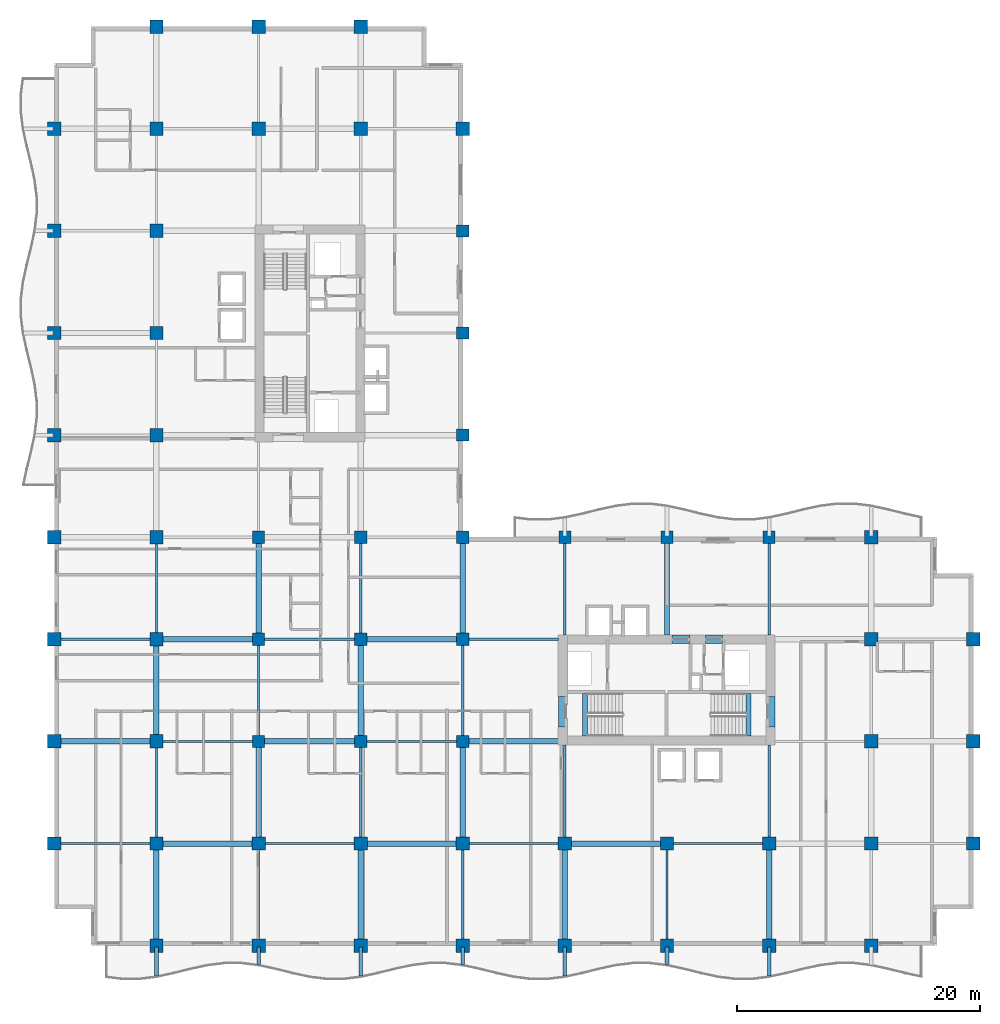
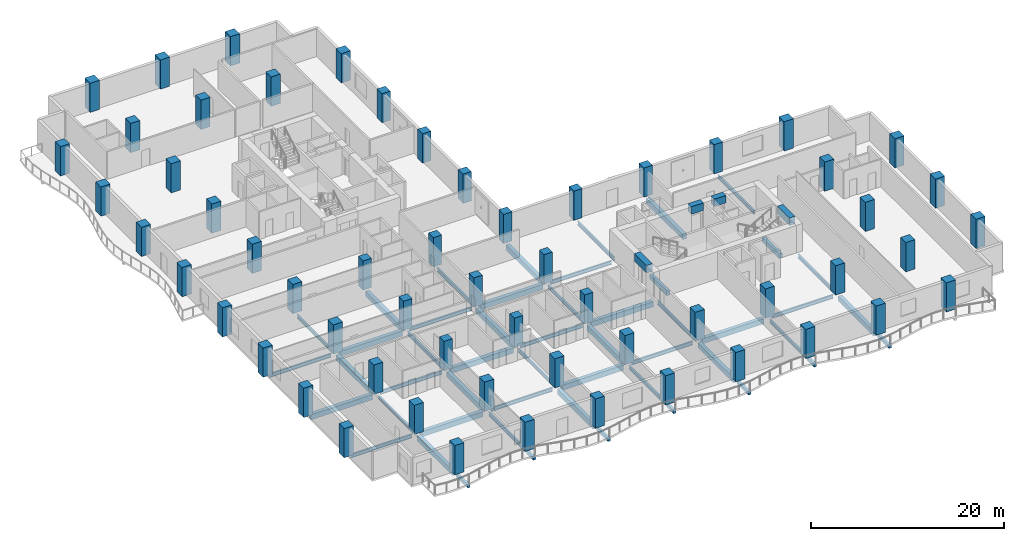
# One storey, part 1 of 16: 58 columns, 54 beams.
"""IFC4 building model written with IfcOpenShell, lengths in metres."""

from ifc_helpers import new_model, si_unit, direction, frame, origin, origin_2d, place, context, subcontext, project, spatial, rectangle, i_section, extrude, material, material_profile, profile_set, type_object, element, save


model = new_model("IFC4")

# Units and contexts
model_context = context("Model", 3, precision=1e-05, world=origin(), true_north=direction((0.0, 1.0)))
body_context = subcontext(model_context, "Body", "Model", "MODEL_VIEW")
ifc_project = project(units=[si_unit("LENGTHUNIT", "METRE"), si_unit("AREAUNIT", "SQUARE_METRE"), si_unit("VOLUMEUNIT", "CUBIC_METRE"), si_unit("PLANEANGLEUNIT", "RADIAN"), si_unit("MASSUNIT", "GRAM", prefix="KILO")], contexts=[model_context])

# Site, building, storey
site_placement = place(None, origin())
site = spatial("IfcSite", under=ifc_project, at=site_placement, CompositionType="ELEMENT")
building_placement = place(site_placement, origin())
building = spatial("IfcBuilding", under=site, at=building_placement, Name="Koriwani Terraces Tower", CompositionType="ELEMENT")
storey_placement = place(building_placement, frame((0.0, 0.0, 179.10009765625)))
storey = spatial("IfcBuildingStorey", under=building, at=storey_placement, Name="L43", CompositionType="ELEMENT", Elevation=179.10009765625)

# Columns
ifc_material_1 = material(Name="Concrete C50/60", Category="concrete")
ifc_material_profile_1 = material_profile(ifc_material_1, rectangle(XDim=1.0, YDim=1.0, at=origin_2d()), Name="Concrete C50/60", Category="LoadBearing")
ifc_profile_set_1 = profile_set([ifc_material_profile_1], Name="Concrete C50/60")
column_type_1 = type_object("IfcColumnType", Name="COL_RC_1000X1000", PredefinedType="COLUMN", material=ifc_profile_set_1)
for number, where, z_axis, x_axis, name in (
    (1, (16.800048828125, 16.800048828125, 0.0), (0.0, 0.0, 1.0), (1.0, 0.0, 0.0), "L43 Column 3/C"),
    (2, (16.800048828125, 25.199951171875, 0.0), (0.0, 0.0, 1.0), (1.0, 0.0, 0.0), "L43 Column 3/D"),
    (3, (16.800048828125, 33.60009765625, 0.0), (0.0, 0.0, 1.0), (1.0, 0.0, 0.0), "L43 Column 3/E"),
    (4, (25.199951171875, 16.800048828125, 0.0), (0.0, 0.0, 1.0), (1.0, 0.0, 0.0), "L43 Column 4/C"),
    (5, (25.199951171875, 25.199951171875, 0.0), (0.0, 0.0, 1.0), (1.0, 0.0, 0.0), "L43 Column 4/D"),
    (6, (25.199951171875, 33.60009765625, 0.0), (0.0, 0.0, 1.0), (1.0, 0.0, 0.0), "L43 Column 4/E"),
    (7, (33.60009765625, 16.800048828125, 0.0), (0.0, 0.0, 1.0), (1.0, 0.0, 0.0), "L43 Column 5/C"),
    (8, (33.60009765625, 25.199951171875, 0.0), (0.0, 0.0, 1.0), (1.0, 0.0, 0.0), "L43 Column 5/D"),
    (9, (33.60009765625, 33.60009765625, 0.0), (0.0, 0.0, 1.0), (1.0, 0.0, 0.0), "L43 Column 5/E"),
    (10, (33.60009765625, 42.0, 0.0), (0.0, 0.0, 1.0), (1.0, 0.0, 0.0), "L43 Column 5/F"),
    (11, (33.60009765625, 50.39990234375, 0.0), (0.0, 0.0, 1.0), (1.0, 0.0, 0.0), "L43 Column 5/G"),
    (12, (33.60009765625, 58.800048828125, 0.0), (0.0, 0.0, 1.0), (1.0, 0.0, 0.0), "L43 Column 5/H"),
    (13, (42.0, 33.60009765625, 0.0), (0.0, 0.0, 1.0), (1.0, 0.0, 0.0), "L43 Column 6/E"),
    (14, (50.39990234375, 33.60009765625, 0.0), (0.0, 0.0, 1.0), (1.0, 0.0, 0.0), "L43 Column 7/E"),
    (15, (58.800048828125, 33.60009765625, 0.0), (0.0, 0.0, 1.0), (1.0, 0.0, 0.0), "L43 Column 8/E"),
):
    element("IfcColumn", number, at=place(storey_placement, frame(where, z_axis=z_axis, x_axis=x_axis)), inside=storey, type_object=column_type_1, Name=name, PredefinedType="COLUMN", context=body_context, shape_type="SweptSolid", body=[
        extrude(rectangle(XDim=1.0, YDim=1.0, at=origin_2d()), origin(), (0.0, 0.0, 1.0), 3.699951171875),
    ])
ifc_material_profile_2 = material_profile(ifc_material_1, rectangle(XDim=1.10009765625, YDim=1.10009765625, at=origin_2d()), Name="Concrete C50/60", Category="LoadBearing")
ifc_profile_set_2 = profile_set([ifc_material_profile_2], Name="Concrete C50/60")
column_type_2 = type_object("IfcColumnType", Name="COL_RC_1100X1100", PredefinedType="COLUMN", material=ifc_profile_set_2)
for number, where, z_axis, x_axis, name in (
    (16, (0.0, 8.39990234375, 0.0), (0.0, 0.0, 1.0), (1.0, 0.0, 0.0), "L43 Column 1/B"),
    (17, (0.0, 16.800048828125, 0.0), (0.0, 0.0, 1.0), (1.0, 0.0, 0.0), "L43 Column 1/C"),
    (18, (0.0, 25.199951171875, 0.0), (0.0, 0.0, 1.0), (1.0, 0.0, 0.0), "L43 Column 1/D"),
    (19, (0.0, 33.60009765625, 0.0), (0.0, 0.0, 1.0), (1.0, 0.0, 0.0), "L43 Column 1/E"),
    (20, (0.0, 42.0, 0.0), (0.0, 0.0, 1.0), (1.0, 0.0, 0.0), "L43 Column 1/F"),
    (21, (0.0, 50.39990234375, 0.0), (0.0, 0.0, 1.0), (1.0, 0.0, 0.0), "L43 Column 1/G"),
    (22, (0.0, 58.800048828125, 0.0), (0.0, 0.0, 1.0), (1.0, 0.0, 0.0), "L43 Column 1/H"),
    (23, (0.0, 67.199951171875, 0.0), (0.0, 0.0, 1.0), (1.0, 0.0, 0.0), "L43 Column 1/I"),
    (24, (8.39990234375, 0.0, 0.0), (0.0, 0.0, 1.0), (1.0, 0.0, 0.0), "L43 Column 2/A"),
    (25, (8.39990234375, 8.39990234375, 0.0), (0.0, 0.0, 1.0), (1.0, 0.0, 0.0), "L43 Column 2/B"),
    (26, (8.39990234375, 16.800048828125, 0.0), (0.0, 0.0, 1.0), (1.0, 0.0, 0.0), "L43 Column 2/C"),
    (27, (8.39990234375, 25.199951171875, 0.0), (0.0, 0.0, 1.0), (1.0, 0.0, 0.0), "L43 Column 2/D"),
    (28, (8.39990234375, 33.60009765625, 0.0), (0.0, 0.0, 1.0), (1.0, 0.0, 0.0), "L43 Column 2/E"),
    (29, (8.39990234375, 42.0, 0.0), (0.0, 0.0, 1.0), (1.0, 0.0, 0.0), "L43 Column 2/F"),
    (30, (8.39990234375, 50.39990234375, 0.0), (0.0, 0.0, 1.0), (1.0, 0.0, 0.0), "L43 Column 2/G"),
    (31, (8.39990234375, 58.800048828125, 0.0), (0.0, 0.0, 1.0), (1.0, 0.0, 0.0), "L43 Column 2/H"),
    (32, (8.39990234375, 67.199951171875, 0.0), (0.0, 0.0, 1.0), (1.0, 0.0, 0.0), "L43 Column 2/I"),
    (33, (8.39990234375, 75.60009765625, 0.0), (0.0, 0.0, 1.0), (1.0, 0.0, 0.0), "L43 Column 2/J"),
    (34, (16.800048828125, 0.0, 0.0), (0.0, 0.0, 1.0), (1.0, 0.0, 0.0), "L43 Column 3/A"),
    (35, (16.800048828125, 8.39990234375, 0.0), (0.0, 0.0, 1.0), (1.0, 0.0, 0.0), "L43 Column 3/B"),
    (36, (16.800048828125, 67.199951171875, 0.0), (0.0, 0.0, 1.0), (1.0, 0.0, 0.0), "L43 Column 3/I"),
    (37, (16.800048828125, 75.60009765625, 0.0), (0.0, 0.0, 1.0), (1.0, 0.0, 0.0), "L43 Column 3/J"),
    (38, (25.199951171875, 0.0, 0.0), (0.0, 0.0, 1.0), (1.0, 0.0, 0.0), "L43 Column 4/A"),
    (39, (25.199951171875, 8.39990234375, 0.0), (0.0, 0.0, 1.0), (1.0, 0.0, 0.0), "L43 Column 4/B"),
    (40, (25.199951171875, 67.199951171875, 0.0), (0.0, 0.0, 1.0), (1.0, 0.0, 0.0), "L43 Column 4/I"),
    (41, (25.199951171875, 75.60009765625, 0.0), (0.0, 0.0, 1.0), (1.0, 0.0, 0.0), "L43 Column 4/J"),
    (42, (33.60009765625, 0.0, 0.0), (0.0, 0.0, 1.0), (1.0, 0.0, 0.0), "L43 Column 5/A"),
    (43, (33.60009765625, 8.39990234375, 0.0), (0.0, 0.0, 1.0), (1.0, 0.0, 0.0), "L43 Column 5/B"),
    (44, (33.60009765625, 67.199951171875, 0.0), (0.0, 0.0, 1.0), (1.0, 0.0, 0.0), "L43 Column 5/I"),
    (45, (42.0, 0.0, 0.0), (0.0, 0.0, 1.0), (1.0, 0.0, 0.0), "L43 Column 6/A"),
    (46, (42.0, 8.39990234375, 0.0), (0.0, 0.0, 1.0), (1.0, 0.0, 0.0), "L43 Column 6/B"),
    (47, (50.39990234375, 0.0, 0.0), (0.0, 0.0, 1.0), (1.0, 0.0, 0.0), "L43 Column 7/A"),
    (48, (50.39990234375, 8.39990234375, 0.0), (0.0, 0.0, 1.0), (1.0, 0.0, 0.0), "L43 Column 7/B"),
    (49, (58.800048828125, 0.0, 0.0), (0.0, 0.0, 1.0), (1.0, 0.0, 0.0), "L43 Column 8/A"),
    (50, (58.800048828125, 8.39990234375, 0.0), (0.0, 0.0, 1.0), (1.0, 0.0, 0.0), "L43 Column 8/B"),
    (51, (67.199951171875, 0.0, 0.0), (0.0, 0.0, 1.0), (1.0, 0.0, 0.0), "L43 Column 9/A"),
    (52, (67.199951171875, 8.39990234375, 0.0), (0.0, 0.0, 1.0), (1.0, 0.0, 0.0), "L43 Column 9/B"),
    (53, (67.199951171875, 16.800048828125, 0.0), (0.0, 0.0, 1.0), (1.0, 0.0, 0.0), "L43 Column 9/C"),
    (54, (67.199951171875, 25.199951171875, 0.0), (0.0, 0.0, 1.0), (1.0, 0.0, 0.0), "L43 Column 9/D"),
    (55, (67.199951171875, 33.60009765625, 0.0), (0.0, 0.0, 1.0), (1.0, 0.0, 0.0), "L43 Column 9/E"),
    (56, (75.60009765625, 8.39990234375, 0.0), (0.0, 0.0, 1.0), (1.0, 0.0, 0.0), "L43 Column 10/B"),
    (57, (75.60009765625, 16.800048828125, 0.0), (0.0, 0.0, 1.0), (1.0, 0.0, 0.0), "L43 Column 10/C"),
    (58, (75.60009765625, 25.199951171875, 0.0), (0.0, 0.0, 1.0), (1.0, 0.0, 0.0), "L43 Column 10/D"),
):
    element("IfcColumn", number, at=place(storey_placement, frame(where, z_axis=z_axis, x_axis=x_axis)), inside=storey, type_object=column_type_2, Name=name, PredefinedType="COLUMN", context=body_context, shape_type="SweptSolid", body=[
        extrude(rectangle(XDim=1.10009765625, YDim=1.10009765625, at=origin_2d()), origin(), (0.0, 0.0, 1.0), 3.699951171875),
    ])

# Beams
ifc_material_2 = material(Name="Concrete C40/50", Category="concrete")
ifc_material_profile_3 = material_profile(ifc_material_2, rectangle(XDim=0.300048828125, YDim=0.39990234375, at=origin_2d()), Name="Concrete C40/50", Category="LoadBearing")
ifc_profile_set_3 = profile_set([ifc_material_profile_3], Name="Concrete C40/50")
beam_type_1 = type_object("IfcBeamType", Name="BEAM_RC_BALCONY_RIB_300X400", PredefinedType="JOIST", material=ifc_profile_set_3)
beam_1_placement = place(storey_placement, frame((8.39990234375, -2.502197265625, -0.43017578125), z_axis=(0.0, 1.0, 0.0), x_axis=(-1.0, 0.0, 0.0)))
element("IfcBeam", 59, at=beam_1_placement, inside=storey, type_object=beam_type_1, Name="L43 Balcony Bracket Rib S-1", PredefinedType="JOIST", context=body_context, shape_type="SweptSolid", body=[
    extrude(rectangle(XDim=0.300048828125, YDim=0.39990234375, at=origin_2d()), origin(), (0.0, 0.0, 1.0), 2.402099609375),
])
beam_2_placement = place(storey_placement, frame((16.800048828125, -1.547607421875, -0.43017578125), z_axis=(0.0, 1.0, 0.0), x_axis=(-1.0, 0.0, 0.0)))
element("IfcBeam", 60, at=beam_2_placement, inside=storey, type_object=beam_type_1, Name="L43 Balcony Bracket Rib S-2", PredefinedType="JOIST", context=body_context, shape_type="SweptSolid", body=[
    extrude(rectangle(XDim=0.300048828125, YDim=0.39990234375, at=origin_2d()), origin(), (0.0, 0.0, 1.0), 1.447509765625),
])
beam_3_placement = place(storey_placement, frame((25.199951171875, -2.502197265625, -0.43017578125), z_axis=(0.0, 1.0, 0.0), x_axis=(-1.0, 0.0, 0.0)))
element("IfcBeam", 61, at=beam_3_placement, inside=storey, type_object=beam_type_1, Name="L43 Balcony Bracket Rib S-3", PredefinedType="JOIST", context=body_context, shape_type="SweptSolid", body=[
    extrude(rectangle(XDim=0.300048828125, YDim=0.39990234375, at=origin_2d()), origin(), (0.0, 0.0, 1.0), 2.402099609375),
])
beam_4_placement = place(storey_placement, frame((33.60009765625, -1.547607421875, -0.43017578125), z_axis=(0.0, 1.0, 0.0), x_axis=(-1.0, 0.0, 0.0)))
element("IfcBeam", 62, at=beam_4_placement, inside=storey, type_object=beam_type_1, Name="L43 Balcony Bracket Rib S-4", PredefinedType="JOIST", context=body_context, shape_type="SweptSolid", body=[
    extrude(rectangle(XDim=0.300048828125, YDim=0.39990234375, at=origin_2d()), origin(), (0.0, 0.0, 1.0), 1.447509765625),
])
beam_5_placement = place(storey_placement, frame((42.0, -2.502197265625, -0.43017578125), z_axis=(0.0, 1.0, 0.0), x_axis=(-1.0, 0.0, 0.0)))
element("IfcBeam", 63, at=beam_5_placement, inside=storey, type_object=beam_type_1, Name="L43 Balcony Bracket Rib S-5", PredefinedType="JOIST", context=body_context, shape_type="SweptSolid", body=[
    extrude(rectangle(XDim=0.300048828125, YDim=0.39990234375, at=origin_2d()), origin(), (0.0, 0.0, 1.0), 2.402099609375),
])
beam_6_placement = place(storey_placement, frame((50.39990234375, -1.547607421875, -0.43017578125), z_axis=(0.0, 1.0, 0.0), x_axis=(-1.0, 0.0, 0.0)))
element("IfcBeam", 64, at=beam_6_placement, inside=storey, type_object=beam_type_1, Name="L43 Balcony Bracket Rib S-6", PredefinedType="JOIST", context=body_context, shape_type="SweptSolid", body=[
    extrude(rectangle(XDim=0.300048828125, YDim=0.39990234375, at=origin_2d()), origin(), (0.0, 0.0, 1.0), 1.447509765625),
])
beam_7_placement = place(storey_placement, frame((58.800048828125, -2.502197265625, -0.43017578125), z_axis=(0.0, 1.0, 0.0), x_axis=(-1.0, 0.0, 0.0)))
element("IfcBeam", 65, at=beam_7_placement, inside=storey, type_object=beam_type_1, Name="L43 Balcony Bracket Rib S-7", PredefinedType="JOIST", context=body_context, shape_type="SweptSolid", body=[
    extrude(rectangle(XDim=0.300048828125, YDim=0.39990234375, at=origin_2d()), origin(), (0.0, 0.0, 1.0), 2.402099609375),
])
ifc_material_3 = material(Name="Concrete C60/75", Category="concrete")
ifc_material_profile_4 = material_profile(ifc_material_3, rectangle(XDim=0.699951171875, YDim=0.949951171875, at=origin_2d()), Name="Concrete C60/75", Category="LoadBearing")
ifc_profile_set_4 = profile_set([ifc_material_profile_4], Name="Concrete C60/75")
beam_type_2 = type_object("IfcBeamType", Name="BEAM_RC_COUPLING_700X950", PredefinedType="LINTEL", material=ifc_profile_set_4)
beam_8_placement = place(storey_placement, frame((50.800048828125, 25.199951171875, 2.994873046875), z_axis=(1.0, 0.0, 0.0), x_axis=(0.0, 1.0, 0.0)))
element("IfcBeam", 66, at=beam_8_placement, inside=storey, type_object=beam_type_2, Name="L43 Core Coupling Lintel Beam EN1", PredefinedType="LINTEL", context=body_context, shape_type="SweptSolid", body=[
    extrude(rectangle(XDim=0.699951171875, YDim=0.949951171875, at=origin_2d()), origin(), (0.0, 0.0, 1.0), 1.47998046875),
])
beam_9_placement = place(storey_placement, frame((53.550048828125, 25.199951171875, 2.994873046875), z_axis=(1.0, 0.0, 0.0), x_axis=(0.0, 1.0, 0.0)))
element("IfcBeam", 67, at=beam_9_placement, inside=storey, type_object=beam_type_2, Name="L43 Core Coupling Lintel Beam EN2", PredefinedType="LINTEL", context=body_context, shape_type="SweptSolid", body=[
    extrude(rectangle(XDim=0.699951171875, YDim=0.949951171875, at=origin_2d()), origin(), (0.0, 0.0, 1.0), 1.39990234375),
])
for number, where, z_axis, x_axis, name in (
    (68, (41.824951171875, 18.0, 2.994873046875), (0.0, 1.0, 0.0), (-1.0, 0.0, 0.0), "L43 Core Coupling Lintel Beam EW"),
    (69, (58.925048828125, 18.0, 2.994873046875), (0.0, 1.0, 0.0), (-1.0, 0.0, 0.0), "L43 Core Coupling Lintel Beam EE"),
):
    element("IfcBeam", number, at=place(storey_placement, frame(where, z_axis=z_axis, x_axis=x_axis)), inside=storey, type_object=beam_type_2, Name=name, PredefinedType="LINTEL", context=body_context, shape_type="SweptSolid", body=[
        extrude(rectangle(XDim=0.699951171875, YDim=0.949951171875, at=origin_2d()), origin(), (0.0, 0.0, 1.0), 2.5),
    ])
ifc_material_profile_5 = material_profile(ifc_material_2, rectangle(XDim=0.39990234375, YDim=0.60009765625, at=origin_2d()), Name="Concrete C40/50", Category="LoadBearing")
ifc_profile_set_5 = profile_set([ifc_material_profile_5], Name="Concrete C40/50")
beam_type_3 = type_object("IfcBeamType", Name="BEAM_RC_GRID_400X600", PredefinedType="BEAM", material=ifc_profile_set_5)
for number, where, z_axis, x_axis, name in (
    (70, (43.655029296875, 17.25, -0.300048828125), (0.0, 1.0, 0.0), (-1.0, 0.0, 0.0), "L43 Stairwell Header Trimmer Beam ST-E1"),
    (71, (57.094970703125, 17.25, -0.300048828125), (0.0, 1.0, 0.0), (-1.0, 0.0, 0.0), "L43 Stairwell Header Trimmer Beam ST-E2"),
):
    element("IfcBeam", number, at=place(storey_placement, frame(where, z_axis=z_axis, x_axis=x_axis)), inside=storey, type_object=beam_type_3, Name=name, PredefinedType="BEAM", context=body_context, shape_type="SweptSolid", body=[
        extrude(rectangle(XDim=0.39990234375, YDim=0.60009765625, at=origin_2d()), origin(), (0.0, 0.0, 1.0), 3.5),
    ])
ifc_material_profile_6 = material_profile(ifc_material_1, rectangle(XDim=0.449951171875, YDim=0.64990234375, at=origin_2d()), Name="Concrete C50/60", Category="LoadBearing")
ifc_profile_set_6 = profile_set([ifc_material_profile_6], Name="Concrete C50/60")
beam_type_4 = type_object("IfcBeamType", Name="BEAM_RC_GRID_450X650", PredefinedType="BEAM", material=ifc_profile_set_6)
for number, where, z_axis, x_axis, name in (
    (72, (8.929931640625, 8.39990234375, -0.55517578125), (1.0, 0.0, 0.0), (0.0, 1.0, 0.0), "L43 Grid Beam B (8.4-16.8m)"),
    (73, (25.72998046875, 8.39990234375, -0.55517578125), (1.0, 0.0, 0.0), (0.0, 1.0, 0.0), "L43 Grid Beam B (25.2-33.6m)"),
    (74, (42.530029296875, 8.39990234375, -0.55517578125), (1.0, 0.0, 0.0), (0.0, 1.0, 0.0), "L43 Grid Beam B (42.0-50.4m)"),
    (75, (0.530029296875, 16.800048828125, -0.55517578125), (1.0, 0.0, 0.0), (0.0, 1.0, 0.0), "L43 Grid Beam C (0.0-8.4m)"),
):
    element("IfcBeam", number, at=place(storey_placement, frame(where, z_axis=z_axis, x_axis=x_axis)), inside=storey, type_object=beam_type_4, Name=name, PredefinedType="BEAM", context=body_context, shape_type="SweptSolid", body=[
        extrude(rectangle(XDim=0.449951171875, YDim=0.64990234375, at=origin_2d()), origin(), (0.0, 0.0, 1.0), 7.340087890625),
    ])
beam_10_placement = place(storey_placement, frame((17.280029296875, 16.800048828125, -0.55517578125), z_axis=(1.0, 0.0, 0.0), x_axis=(0.0, 1.0, 0.0)))
element("IfcBeam", 76, at=beam_10_placement, inside=storey, type_object=beam_type_4, Name="L43 Grid Beam C (16.8-25.2m)", PredefinedType="BEAM", context=body_context, shape_type="SweptSolid", body=[
    extrude(rectangle(XDim=0.449951171875, YDim=0.64990234375, at=origin_2d()), origin(), (0.0, 0.0, 1.0), 7.43994140625),
])
beam_11_placement = place(storey_placement, frame((34.080078125, 16.800048828125, -0.55517578125), z_axis=(1.0, 0.0, 0.0), x_axis=(0.0, 1.0, 0.0)))
element("IfcBeam", 77, at=beam_11_placement, inside=storey, type_object=beam_type_4, Name="L43 Grid Beam C (33.6-42.0m)", PredefinedType="BEAM", context=body_context, shape_type="SweptSolid", body=[
    extrude(rectangle(XDim=0.449951171875, YDim=0.64990234375, at=origin_2d()), origin(), (0.0, 0.0, 1.0), 7.389892578125),
])
beam_12_placement = place(storey_placement, frame((8.929931640625, 25.199951171875, -0.55517578125), z_axis=(1.0, 0.0, 0.0), x_axis=(0.0, 1.0, 0.0)))
element("IfcBeam", 78, at=beam_12_placement, inside=storey, type_object=beam_type_4, Name="L43 Grid Beam D (8.4-16.8m)", PredefinedType="BEAM", context=body_context, shape_type="SweptSolid", body=[
    extrude(rectangle(XDim=0.449951171875, YDim=0.64990234375, at=origin_2d()), origin(), (0.0, 0.0, 1.0), 7.39013671875),
])
beam_13_placement = place(storey_placement, frame((25.679931640625, 25.199951171875, -0.55517578125), z_axis=(1.0, 0.0, 0.0), x_axis=(0.0, 1.0, 0.0)))
element("IfcBeam", 79, at=beam_13_placement, inside=storey, type_object=beam_type_4, Name="L43 Grid Beam D (25.2-33.6m)", PredefinedType="BEAM", context=body_context, shape_type="SweptSolid", body=[
    extrude(rectangle(XDim=0.449951171875, YDim=0.64990234375, at=origin_2d()), origin(), (0.0, 0.0, 1.0), 7.440185546875),
])
beam_14_placement = place(storey_placement, frame((8.39990234375, 0.530029296875, -0.55517578125), z_axis=(0.0, 1.0, 0.0), x_axis=(-1.0, 0.0, 0.0)))
element("IfcBeam", 80, at=beam_14_placement, inside=storey, type_object=beam_type_4, Name="L43 Grid Beam 2 (0.0-8.4m)", PredefinedType="BEAM", context=body_context, shape_type="SweptSolid", body=[
    extrude(rectangle(XDim=0.449951171875, YDim=0.64990234375, at=origin_2d()), origin(), (0.0, 0.0, 1.0), 7.340087890625),
])
beam_15_placement = place(storey_placement, frame((8.39990234375, 17.330078125, -0.55517578125), z_axis=(0.0, 1.0, 0.0), x_axis=(-1.0, 0.0, 0.0)))
element("IfcBeam", 81, at=beam_15_placement, inside=storey, type_object=beam_type_4, Name="L43 Grid Beam 2 (16.8-25.2m)", PredefinedType="BEAM", context=body_context, shape_type="SweptSolid", body=[
    extrude(rectangle(XDim=0.449951171875, YDim=0.64990234375, at=origin_2d()), origin(), (0.0, 0.0, 1.0), 7.33984375),
])
beam_16_placement = place(storey_placement, frame((16.800048828125, 8.929931640625, -0.55517578125), z_axis=(0.0, 1.0, 0.0), x_axis=(-1.0, 0.0, 0.0)))
element("IfcBeam", 82, at=beam_16_placement, inside=storey, type_object=beam_type_4, Name="L43 Grid Beam 3 (8.4-16.8m)", PredefinedType="BEAM", context=body_context, shape_type="SweptSolid", body=[
    extrude(rectangle(XDim=0.449951171875, YDim=0.64990234375, at=origin_2d()), origin(), (0.0, 0.0, 1.0), 7.39013671875),
])
beam_17_placement = place(storey_placement, frame((16.800048828125, 25.679931640625, -0.55517578125), z_axis=(0.0, 1.0, 0.0), x_axis=(-1.0, 0.0, 0.0)))
element("IfcBeam", 83, at=beam_17_placement, inside=storey, type_object=beam_type_4, Name="L43 Grid Beam 3 (25.2-33.6m)", PredefinedType="BEAM", context=body_context, shape_type="SweptSolid", body=[
    extrude(rectangle(XDim=0.449951171875, YDim=0.64990234375, at=origin_2d()), origin(), (0.0, 0.0, 1.0), 7.440185546875),
])
beam_18_placement = place(storey_placement, frame((25.199951171875, 0.530029296875, -0.55517578125), z_axis=(0.0, 1.0, 0.0), x_axis=(-1.0, 0.0, 0.0)))
element("IfcBeam", 84, at=beam_18_placement, inside=storey, type_object=beam_type_4, Name="L43 Grid Beam 4 (0.0-8.4m)", PredefinedType="BEAM", context=body_context, shape_type="SweptSolid", body=[
    extrude(rectangle(XDim=0.449951171875, YDim=0.64990234375, at=origin_2d()), origin(), (0.0, 0.0, 1.0), 7.340087890625),
])
beam_19_placement = place(storey_placement, frame((25.199951171875, 17.280029296875, -0.55517578125), z_axis=(0.0, 1.0, 0.0), x_axis=(-1.0, 0.0, 0.0)))
element("IfcBeam", 85, at=beam_19_placement, inside=storey, type_object=beam_type_4, Name="L43 Grid Beam 4 (16.8-25.2m)", PredefinedType="BEAM", context=body_context, shape_type="SweptSolid", body=[
    extrude(rectangle(XDim=0.449951171875, YDim=0.64990234375, at=origin_2d()), origin(), (0.0, 0.0, 1.0), 7.43994140625),
])
beam_20_placement = place(storey_placement, frame((33.60009765625, 8.929931640625, -0.55517578125), z_axis=(0.0, 1.0, 0.0), x_axis=(-1.0, 0.0, 0.0)))
element("IfcBeam", 86, at=beam_20_placement, inside=storey, type_object=beam_type_4, Name="L43 Grid Beam 5 (8.4-16.8m)", PredefinedType="BEAM", context=body_context, shape_type="SweptSolid", body=[
    extrude(rectangle(XDim=0.449951171875, YDim=0.64990234375, at=origin_2d()), origin(), (0.0, 0.0, 1.0), 7.39013671875),
])
beam_21_placement = place(storey_placement, frame((33.60009765625, 25.679931640625, -0.55517578125), z_axis=(0.0, 1.0, 0.0), x_axis=(-1.0, 0.0, 0.0)))
element("IfcBeam", 87, at=beam_21_placement, inside=storey, type_object=beam_type_4, Name="L43 Grid Beam 5 (25.2-33.6m)", PredefinedType="BEAM", context=body_context, shape_type="SweptSolid", body=[
    extrude(rectangle(XDim=0.449951171875, YDim=0.64990234375, at=origin_2d()), origin(), (0.0, 0.0, 1.0), 7.440185546875),
])
beam_22_placement = place(storey_placement, frame((42.0, 0.530029296875, -0.55517578125), z_axis=(0.0, 1.0, 0.0), x_axis=(-1.0, 0.0, 0.0)))
element("IfcBeam", 88, at=beam_22_placement, inside=storey, type_object=beam_type_4, Name="L43 Grid Beam 6 (0.0-8.4m)", PredefinedType="BEAM", context=body_context, shape_type="SweptSolid", body=[
    extrude(rectangle(XDim=0.449951171875, YDim=0.64990234375, at=origin_2d()), origin(), (0.0, 0.0, 1.0), 7.340087890625),
])
beam_23_placement = place(storey_placement, frame((50.39990234375, 25.554931640625, -0.55517578125), z_axis=(0.0, 1.0, 0.0), x_axis=(-1.0, 0.0, 0.0)))
element("IfcBeam", 89, at=beam_23_placement, inside=storey, type_object=beam_type_4, Name="L43 Grid Beam 7 (25.2-33.6m)", PredefinedType="BEAM", context=body_context, shape_type="SweptSolid", body=[
    extrude(rectangle(XDim=0.449951171875, YDim=0.64990234375, at=origin_2d()), origin(), (0.0, 0.0, 1.0), 7.565185546875),
])
beam_24_placement = place(storey_placement, frame((58.800048828125, 0.530029296875, -0.55517578125), z_axis=(0.0, 1.0, 0.0), x_axis=(-1.0, 0.0, 0.0)))
element("IfcBeam", 90, at=beam_24_placement, inside=storey, type_object=beam_type_4, Name="L43 Grid Beam 8 (0.0-8.4m)", PredefinedType="BEAM", context=body_context, shape_type="SweptSolid", body=[
    extrude(rectangle(XDim=0.449951171875, YDim=0.64990234375, at=origin_2d()), origin(), (0.0, 0.0, 1.0), 7.340087890625),
])
ifc_material_4 = material(Name="Steel ASTM A572 Grade 50", Category="steel")
ifc_material_profile_7 = material_profile(ifc_material_4, i_section(OverallWidth=0.19189453125, OverallDepth=0.462890625, WebThickness=0.010498046875, FlangeThickness=0.01611328125, at=origin_2d()), Name="Steel ASTM A572 Grade 50", Category="LoadBearing")
ifc_profile_set_7 = profile_set([ifc_material_profile_7], Name="Steel ASTM A572 Grade 50")
beam_type_5 = type_object("IfcBeamType", Name="STEEL_BEAM_W460X89", PredefinedType="BEAM", material=ifc_profile_set_7)
beam_25_placement = place(storey_placement, frame((0.530029296875, 8.39990234375, -0.461669921875), z_axis=(1.0, 0.0, 0.0), x_axis=(0.0, 1.0, 0.0)))
element("IfcBeam", 91, at=beam_25_placement, inside=storey, type_object=beam_type_5, Name="L43 Grid Beam B (0.0-8.4m)", PredefinedType="BEAM", context=body_context, shape_type="SweptSolid", body=[
    extrude(i_section(OverallWidth=0.19189453125, OverallDepth=0.462890625, WebThickness=0.010498046875, FlangeThickness=0.01611328125, at=origin_2d()), origin(), (0.0, 0.0, 1.0), 7.340087890625),
])
beam_26_placement = place(storey_placement, frame((17.330078125, 8.39990234375, -0.461669921875), z_axis=(1.0, 0.0, 0.0), x_axis=(0.0, 1.0, 0.0)))
element("IfcBeam", 92, at=beam_26_placement, inside=storey, type_object=beam_type_5, Name="L43 Grid Beam B (16.8-25.2m)", PredefinedType="BEAM", context=body_context, shape_type="SweptSolid", body=[
    extrude(i_section(OverallWidth=0.19189453125, OverallDepth=0.462890625, WebThickness=0.010498046875, FlangeThickness=0.01611328125, at=origin_2d()), origin(), (0.0, 0.0, 1.0), 7.33984375),
])
for number, where, z_axis, x_axis, name in (
    (93, (34.1298828125, 8.39990234375, -0.461669921875), (1.0, 0.0, 0.0), (0.0, 1.0, 0.0), "L43 Grid Beam B (33.6-42.0m)"),
    (94, (50.929931640625, 8.39990234375, -0.461669921875), (1.0, 0.0, 0.0), (0.0, 1.0, 0.0), "L43 Grid Beam B (50.4-58.8m)"),
):
    element("IfcBeam", number, at=place(storey_placement, frame(where, z_axis=z_axis, x_axis=x_axis)), inside=storey, type_object=beam_type_5, Name=name, PredefinedType="BEAM", context=body_context, shape_type="SweptSolid", body=[
        extrude(i_section(OverallWidth=0.19189453125, OverallDepth=0.462890625, WebThickness=0.010498046875, FlangeThickness=0.01611328125, at=origin_2d()), origin(), (0.0, 0.0, 1.0), 7.340087890625),
    ])
beam_27_placement = place(storey_placement, frame((8.929931640625, 16.800048828125, -0.461669921875), z_axis=(1.0, 0.0, 0.0), x_axis=(0.0, 1.0, 0.0)))
element("IfcBeam", 95, at=beam_27_placement, inside=storey, type_object=beam_type_5, Name="L43 Grid Beam C (8.4-16.8m)", PredefinedType="BEAM", context=body_context, shape_type="SweptSolid", body=[
    extrude(i_section(OverallWidth=0.19189453125, OverallDepth=0.462890625, WebThickness=0.010498046875, FlangeThickness=0.01611328125, at=origin_2d()), origin(), (0.0, 0.0, 1.0), 7.39013671875),
])
beam_28_placement = place(storey_placement, frame((25.679931640625, 16.800048828125, -0.461669921875), z_axis=(1.0, 0.0, 0.0), x_axis=(0.0, 1.0, 0.0)))
element("IfcBeam", 96, at=beam_28_placement, inside=storey, type_object=beam_type_5, Name="L43 Grid Beam C (25.2-33.6m)", PredefinedType="BEAM", context=body_context, shape_type="SweptSolid", body=[
    extrude(i_section(OverallWidth=0.19189453125, OverallDepth=0.462890625, WebThickness=0.010498046875, FlangeThickness=0.01611328125, at=origin_2d()), origin(), (0.0, 0.0, 1.0), 7.440185546875),
])
beam_29_placement = place(storey_placement, frame((0.530029296875, 25.199951171875, -0.461669921875), z_axis=(1.0, 0.0, 0.0), x_axis=(0.0, 1.0, 0.0)))
element("IfcBeam", 97, at=beam_29_placement, inside=storey, type_object=beam_type_5, Name="L43 Grid Beam D (0.0-8.4m)", PredefinedType="BEAM", context=body_context, shape_type="SweptSolid", body=[
    extrude(i_section(OverallWidth=0.19189453125, OverallDepth=0.462890625, WebThickness=0.010498046875, FlangeThickness=0.01611328125, at=origin_2d()), origin(), (0.0, 0.0, 1.0), 7.340087890625),
])
beam_30_placement = place(storey_placement, frame((17.280029296875, 25.199951171875, -0.461669921875), z_axis=(1.0, 0.0, 0.0), x_axis=(0.0, 1.0, 0.0)))
element("IfcBeam", 98, at=beam_30_placement, inside=storey, type_object=beam_type_5, Name="L43 Grid Beam D (16.8-25.2m)", PredefinedType="BEAM", context=body_context, shape_type="SweptSolid", body=[
    extrude(i_section(OverallWidth=0.19189453125, OverallDepth=0.462890625, WebThickness=0.010498046875, FlangeThickness=0.01611328125, at=origin_2d()), origin(), (0.0, 0.0, 1.0), 7.43994140625),
])
beam_31_placement = place(storey_placement, frame((34.080078125, 25.199951171875, -0.461669921875), z_axis=(1.0, 0.0, 0.0), x_axis=(0.0, 1.0, 0.0)))
element("IfcBeam", 99, at=beam_31_placement, inside=storey, type_object=beam_type_5, Name="L43 Grid Beam D (33.6-42.0m)", PredefinedType="BEAM", context=body_context, shape_type="SweptSolid", body=[
    extrude(i_section(OverallWidth=0.19189453125, OverallDepth=0.462890625, WebThickness=0.010498046875, FlangeThickness=0.01611328125, at=origin_2d()), origin(), (0.0, 0.0, 1.0), 7.389892578125),
])
for number, where, z_axis, x_axis, name in (
    (100, (8.39990234375, 8.929931640625, -0.461669921875), (0.0, 1.0, 0.0), (-1.0, 0.0, 0.0), "L43 Grid Beam 2 (8.4-16.8m)"),
    (101, (8.39990234375, 25.72998046875, -0.461669921875), (0.0, 1.0, 0.0), (-1.0, 0.0, 0.0), "L43 Grid Beam 2 (25.2-33.6m)"),
    (102, (16.800048828125, 0.530029296875, -0.461669921875), (0.0, 1.0, 0.0), (-1.0, 0.0, 0.0), "L43 Grid Beam 3 (0.0-8.4m)"),
):
    element("IfcBeam", number, at=place(storey_placement, frame(where, z_axis=z_axis, x_axis=x_axis)), inside=storey, type_object=beam_type_5, Name=name, PredefinedType="BEAM", context=body_context, shape_type="SweptSolid", body=[
        extrude(i_section(OverallWidth=0.19189453125, OverallDepth=0.462890625, WebThickness=0.010498046875, FlangeThickness=0.01611328125, at=origin_2d()), origin(), (0.0, 0.0, 1.0), 7.340087890625),
    ])
beam_32_placement = place(storey_placement, frame((16.800048828125, 17.280029296875, -0.461669921875), z_axis=(0.0, 1.0, 0.0), x_axis=(-1.0, 0.0, 0.0)))
element("IfcBeam", 103, at=beam_32_placement, inside=storey, type_object=beam_type_5, Name="L43 Grid Beam 3 (16.8-25.2m)", PredefinedType="BEAM", context=body_context, shape_type="SweptSolid", body=[
    extrude(i_section(OverallWidth=0.19189453125, OverallDepth=0.462890625, WebThickness=0.010498046875, FlangeThickness=0.01611328125, at=origin_2d()), origin(), (0.0, 0.0, 1.0), 7.43994140625),
])
beam_33_placement = place(storey_placement, frame((25.199951171875, 8.929931640625, -0.461669921875), z_axis=(0.0, 1.0, 0.0), x_axis=(-1.0, 0.0, 0.0)))
element("IfcBeam", 104, at=beam_33_placement, inside=storey, type_object=beam_type_5, Name="L43 Grid Beam 4 (8.4-16.8m)", PredefinedType="BEAM", context=body_context, shape_type="SweptSolid", body=[
    extrude(i_section(OverallWidth=0.19189453125, OverallDepth=0.462890625, WebThickness=0.010498046875, FlangeThickness=0.01611328125, at=origin_2d()), origin(), (0.0, 0.0, 1.0), 7.39013671875),
])
beam_34_placement = place(storey_placement, frame((25.199951171875, 25.679931640625, -0.461669921875), z_axis=(0.0, 1.0, 0.0), x_axis=(-1.0, 0.0, 0.0)))
element("IfcBeam", 105, at=beam_34_placement, inside=storey, type_object=beam_type_5, Name="L43 Grid Beam 4 (25.2-33.6m)", PredefinedType="BEAM", context=body_context, shape_type="SweptSolid", body=[
    extrude(i_section(OverallWidth=0.19189453125, OverallDepth=0.462890625, WebThickness=0.010498046875, FlangeThickness=0.01611328125, at=origin_2d()), origin(), (0.0, 0.0, 1.0), 7.440185546875),
])
beam_35_placement = place(storey_placement, frame((33.60009765625, 0.530029296875, -0.461669921875), z_axis=(0.0, 1.0, 0.0), x_axis=(-1.0, 0.0, 0.0)))
element("IfcBeam", 106, at=beam_35_placement, inside=storey, type_object=beam_type_5, Name="L43 Grid Beam 5 (0.0-8.4m)", PredefinedType="BEAM", context=body_context, shape_type="SweptSolid", body=[
    extrude(i_section(OverallWidth=0.19189453125, OverallDepth=0.462890625, WebThickness=0.010498046875, FlangeThickness=0.01611328125, at=origin_2d()), origin(), (0.0, 0.0, 1.0), 7.340087890625),
])
beam_36_placement = place(storey_placement, frame((33.60009765625, 17.280029296875, -0.461669921875), z_axis=(0.0, 1.0, 0.0), x_axis=(-1.0, 0.0, 0.0)))
element("IfcBeam", 107, at=beam_36_placement, inside=storey, type_object=beam_type_5, Name="L43 Grid Beam 5 (16.8-25.2m)", PredefinedType="BEAM", context=body_context, shape_type="SweptSolid", body=[
    extrude(i_section(OverallWidth=0.19189453125, OverallDepth=0.462890625, WebThickness=0.010498046875, FlangeThickness=0.01611328125, at=origin_2d()), origin(), (0.0, 0.0, 1.0), 7.43994140625),
])
beam_37_placement = place(storey_placement, frame((42.0, 8.929931640625, -0.461669921875), z_axis=(0.0, 1.0, 0.0), x_axis=(-1.0, 0.0, 0.0)))
element("IfcBeam", 108, at=beam_37_placement, inside=storey, type_object=beam_type_5, Name="L43 Grid Beam 6 (8.4-16.8m)", PredefinedType="BEAM", context=body_context, shape_type="SweptSolid", body=[
    extrude(i_section(OverallWidth=0.19189453125, OverallDepth=0.462890625, WebThickness=0.010498046875, FlangeThickness=0.01611328125, at=origin_2d()), origin(), (0.0, 0.0, 1.0), 7.590087890625),
])
beam_38_placement = place(storey_placement, frame((42.0, 25.554931640625, -0.461669921875), z_axis=(0.0, 1.0, 0.0), x_axis=(-1.0, 0.0, 0.0)))
element("IfcBeam", 109, at=beam_38_placement, inside=storey, type_object=beam_type_5, Name="L43 Grid Beam 6 (25.2-33.6m)", PredefinedType="BEAM", context=body_context, shape_type="SweptSolid", body=[
    extrude(i_section(OverallWidth=0.19189453125, OverallDepth=0.462890625, WebThickness=0.010498046875, FlangeThickness=0.01611328125, at=origin_2d()), origin(), (0.0, 0.0, 1.0), 7.565185546875),
])
beam_39_placement = place(storey_placement, frame((50.39990234375, 0.530029296875, -0.461669921875), z_axis=(0.0, 1.0, 0.0), x_axis=(-1.0, 0.0, 0.0)))
element("IfcBeam", 110, at=beam_39_placement, inside=storey, type_object=beam_type_5, Name="L43 Grid Beam 7 (0.0-8.4m)", PredefinedType="BEAM", context=body_context, shape_type="SweptSolid", body=[
    extrude(i_section(OverallWidth=0.19189453125, OverallDepth=0.462890625, WebThickness=0.010498046875, FlangeThickness=0.01611328125, at=origin_2d()), origin(), (0.0, 0.0, 1.0), 7.340087890625),
])
beam_40_placement = place(storey_placement, frame((58.800048828125, 8.929931640625, -0.461669921875), z_axis=(0.0, 1.0, 0.0), x_axis=(-1.0, 0.0, 0.0)))
element("IfcBeam", 111, at=beam_40_placement, inside=storey, type_object=beam_type_5, Name="L43 Grid Beam 8 (8.4-16.8m)", PredefinedType="BEAM", context=body_context, shape_type="SweptSolid", body=[
    extrude(i_section(OverallWidth=0.19189453125, OverallDepth=0.462890625, WebThickness=0.010498046875, FlangeThickness=0.01611328125, at=origin_2d()), origin(), (0.0, 0.0, 1.0), 7.590087890625),
])
beam_41_placement = place(storey_placement, frame((58.800048828125, 25.554931640625, -0.461669921875), z_axis=(0.0, 1.0, 0.0), x_axis=(-1.0, 0.0, 0.0)))
element("IfcBeam", 112, at=beam_41_placement, inside=storey, type_object=beam_type_5, Name="L43 Grid Beam 8 (25.2-33.6m)", PredefinedType="BEAM", context=body_context, shape_type="SweptSolid", body=[
    extrude(i_section(OverallWidth=0.19189453125, OverallDepth=0.462890625, WebThickness=0.010498046875, FlangeThickness=0.01611328125, at=origin_2d()), origin(), (0.0, 0.0, 1.0), 7.565185546875),
])

save(model, "model.ifc")
